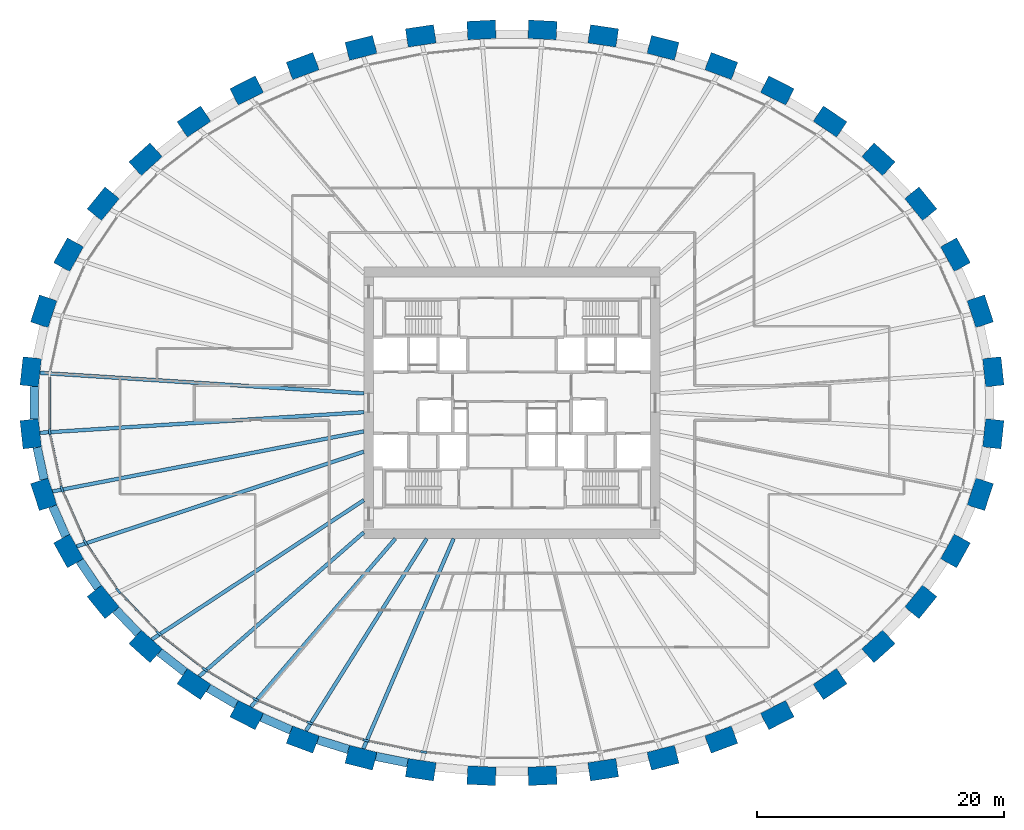
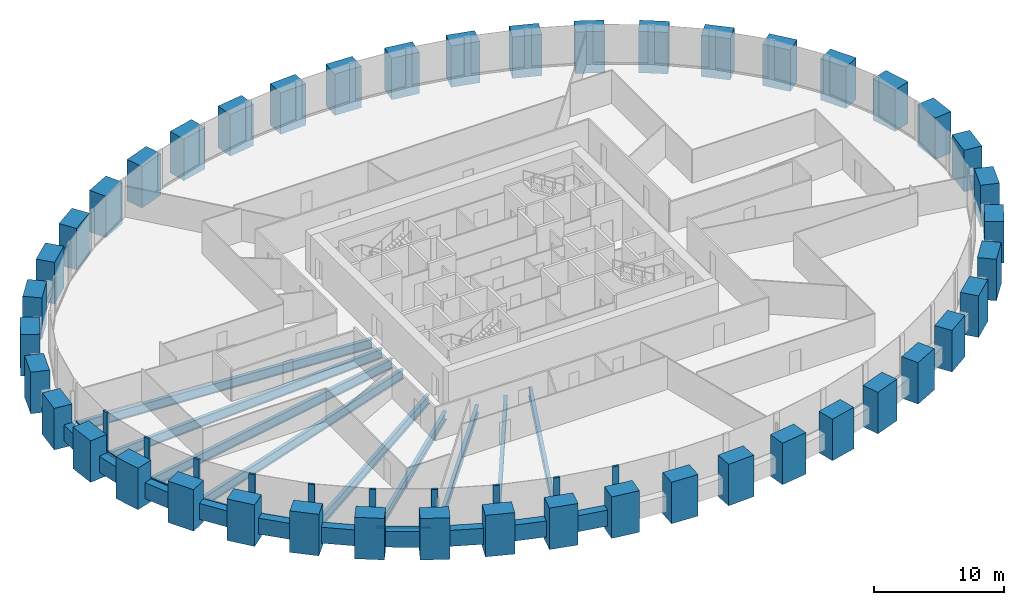
# One storey, part 1 of 11: 44 columns, 20 members, 19 beams, 1 element without a shape of its own.
"""IFC4 building model written with IfcOpenShell, lengths in metres."""

from ifc_helpers import new_model, si_unit, direction, frame, origin, origin_2d, place, context, subcontext, project, spatial, rectangle, i_section, extrude, source, transform, mapped, material, material_profile, profile_set, type_object, element, aggregate, save


model = new_model("IFC4")

# Units and contexts
model_context = context("Model", 3, precision=1e-05, world=origin(), true_north=direction((0.0, 1.0)))
body_context = subcontext(model_context, "Body", "Model", "MODEL_VIEW")
ifc_project = project(units=[si_unit("LENGTHUNIT", "METRE"), si_unit("AREAUNIT", "SQUARE_METRE"), si_unit("VOLUMEUNIT", "CUBIC_METRE"), si_unit("PLANEANGLEUNIT", "RADIAN"), si_unit("MASSUNIT", "GRAM", prefix="KILO")], contexts=[model_context])

# Site, building, storey
site_placement = place(None, origin())
site = spatial("IfcSite", under=ifc_project, at=site_placement, CompositionType="ELEMENT")
building_placement = place(site_placement, origin())
building = spatial("IfcBuilding", under=site, at=building_placement, Name="Embergate Tower", CompositionType="ELEMENT")
storey_placement = place(building_placement, frame((0.0, 0.0, 135.89990234375)))
storey = spatial("IfcBuildingStorey", under=building, at=storey_placement, Name="L29", CompositionType="ELEMENT", Elevation=135.89990234375)

# Columns
ifc_material_1 = material(Name="Concrete C70", Category="concrete")
ifc_material_profile_1 = material_profile(ifc_material_1, rectangle(XDim=1.5, YDim=2.300048828125, at=origin_2d()), Name="RC 1500x2300")
ifc_profile_set_1 = profile_set([ifc_material_profile_1], Name="Concrete C70")
column_type = type_object("IfcColumnType", Name="Ring column RC 1500x2300 C70", PredefinedType="COLUMN", material=ifc_profile_set_1)
shared_shape_1 = source(origin(), body_context, "Body", "SweptSolid", [
    extrude(rectangle(XDim=1.5, YDim=2.300048828125, at=origin_2d()), origin(), (0.0, 0.0, 1.0), 3.89990234375),
])
for number, where, z_axis, x_axis, name in (
    (1, (38.98193359375, 2.509033203125, -1.39990234375), (0.0, 0.0, 1.0), (0.99428589498, 0.106749983816, 0.0), "COL-L29-00"),
    (2, (37.927001953125, 7.410888671875, -1.39990234375), (0.0, 0.0, 1.0), (0.950754033697, 0.309946394413, 0.0), "COL-L29-01"),
    (3, (35.9169921875, 11.993896484375, -1.39990234375), (0.0, 0.0, 1.0), (0.873491969053, 0.486838556403, 0.0), "COL-L29-02"),
    (4, (33.110107421875, 16.1220703125, -1.39990234375), (0.0, 0.0, 1.0), (0.775914301615, 0.630838328377, 0.0), "COL-L29-03"),
    (5, (29.675048828125, 19.72412109375, -1.39990234375), (0.0, 0.0, 1.0), (0.669208424634, 0.74307475021, 0.0), "COL-L29-04"),
    (6, (25.760009765625, 22.781005859375, -1.39990234375), (0.0, 0.0, 1.0), (0.560393279442, 0.828226643109, 0.0), "COL-L29-05"),
    (7, (21.486083984375, 25.29296875, -1.39990234375), (0.0, 0.0, 1.0), (0.452994952881, 0.891513080478, 0.0), "COL-L29-06"),
    (8, (16.950927734375, 27.277099609375, -1.39990234375), (0.0, 0.0, 1.0), (0.348343015724, 0.93736713373, 0.0), "COL-L29-07"),
    (9, (12.22900390625, 28.7470703125, -1.39990234375), (0.0, 0.0, 1.0), (0.246491603437, 0.969144926951, 0.0), "COL-L29-08"),
    (10, (7.385009765625, 29.718994140625, -1.39990234375), (0.0, 0.0, 1.0), (0.146929011949, 0.989147039346, 0.0), "COL-L29-09"),
    (11, (2.468994140625, 30.201904296875, -1.39990234375), (0.0, 0.0, 1.0), (0.048814904854, 0.998807841912, 0.0), "COL-L29-10"),
    (12, (-2.468994140625, 30.201904296875, -1.39990234375), (0.0, 0.0, 1.0), (-0.048814904854, 0.998807841912, 0.0), "COL-L29-11"),
    (13, (-7.385009765625, 29.718994140625, -1.39990234375), (0.0, 0.0, 1.0), (-0.146929011949, 0.989147039346, 0.0), "COL-L29-12"),
    (14, (-12.22900390625, 28.7470703125, -1.39990234375), (0.0, 0.0, 1.0), (-0.246491603437, 0.969144926951, 0.0), "COL-L29-13"),
    (15, (-16.950927734375, 27.277099609375, -1.39990234375), (0.0, 0.0, 1.0), (-0.348343015724, 0.93736713373, 0.0), "COL-L29-14"),
    (16, (-21.486083984375, 25.29296875, -1.39990234375), (0.0, 0.0, 1.0), (-0.452994952881, 0.891513080478, 0.0), "COL-L29-15"),
    (17, (-25.760009765625, 22.781005859375, -1.39990234375), (0.0, 0.0, 1.0), (-0.560393279442, 0.828226643109, 0.0), "COL-L29-16"),
    (18, (-29.675048828125, 19.72412109375, -1.39990234375), (0.0, 0.0, 1.0), (-0.669208424634, 0.74307475021, 0.0), "COL-L29-17"),
    (19, (-33.110107421875, 16.1220703125, -1.39990234375), (0.0, 0.0, 1.0), (-0.775914301615, 0.630838328377, 0.0), "COL-L29-18"),
    (20, (-35.9169921875, 11.993896484375, -1.39990234375), (0.0, 0.0, 1.0), (-0.873491969053, 0.486838556403, 0.0), "COL-L29-19"),
    (21, (-37.927001953125, 7.410888671875, -1.39990234375), (0.0, 0.0, 1.0), (-0.950754033697, 0.309946394413, 0.0), "COL-L29-20"),
    (22, (-38.98193359375, 2.509033203125, -1.39990234375), (0.0, 0.0, 1.0), (-0.99428589498, 0.106749983816, 0.0), "COL-L29-21"),
    (23, (-38.98193359375, -2.509033203125, -1.39990234375), (0.0, 0.0, 1.0), (-0.99428589498, -0.106749983816, 0.0), "COL-L29-22"),
    (24, (-37.927001953125, -7.410888671875, -1.39990234375), (0.0, 0.0, 1.0), (-0.950754033697, -0.309946394413, 0.0), "COL-L29-23"),
    (25, (-35.9169921875, -11.993896484375, -1.39990234375), (0.0, 0.0, 1.0), (-0.873491969053, -0.486838556403, 0.0), "COL-L29-24"),
    (26, (-33.110107421875, -16.1220703125, -1.39990234375), (0.0, 0.0, 1.0), (-0.775914301615, -0.630838328377, 0.0), "COL-L29-25"),
    (27, (-29.675048828125, -19.72412109375, -1.39990234375), (0.0, 0.0, 1.0), (-0.669208424634, -0.74307475021, 0.0), "COL-L29-26"),
    (28, (-25.760009765625, -22.781005859375, -1.39990234375), (0.0, 0.0, 1.0), (-0.560393279442, -0.828226643109, 0.0), "COL-L29-27"),
    (29, (-21.486083984375, -25.29296875, -1.39990234375), (0.0, 0.0, 1.0), (-0.452994952881, -0.891513080478, 0.0), "COL-L29-28"),
    (30, (-16.950927734375, -27.277099609375, -1.39990234375), (0.0, 0.0, 1.0), (-0.348343015724, -0.93736713373, 0.0), "COL-L29-29"),
    (31, (-12.22900390625, -28.7470703125, -1.39990234375), (0.0, 0.0, 1.0), (-0.246491603437, -0.969144926951, 0.0), "COL-L29-30"),
    (32, (-7.385009765625, -29.718994140625, -1.39990234375), (0.0, 0.0, 1.0), (-0.146929011949, -0.989147039346, 0.0), "COL-L29-31"),
    (33, (-2.468994140625, -30.201904296875, -1.39990234375), (0.0, 0.0, 1.0), (-0.048814904854, -0.998807841912, 0.0), "COL-L29-32"),
    (34, (2.468994140625, -30.201904296875, -1.39990234375), (0.0, 0.0, 1.0), (0.048814904854, -0.998807841912, 0.0), "COL-L29-33"),
    (35, (7.385009765625, -29.718994140625, -1.39990234375), (0.0, 0.0, 1.0), (0.146929011949, -0.989147039346, 0.0), "COL-L29-34"),
    (36, (12.22900390625, -28.7470703125, -1.39990234375), (0.0, 0.0, 1.0), (0.246491603437, -0.969144926951, 0.0), "COL-L29-35"),
    (37, (16.950927734375, -27.277099609375, -1.39990234375), (0.0, 0.0, 1.0), (0.348343015724, -0.93736713373, 0.0), "COL-L29-36"),
    (38, (21.486083984375, -25.29296875, -1.39990234375), (0.0, 0.0, 1.0), (0.452994952881, -0.891513080478, 0.0), "COL-L29-37"),
    (39, (25.760009765625, -22.781005859375, -1.39990234375), (0.0, 0.0, 1.0), (0.560393279442, -0.828226643109, 0.0), "COL-L29-38"),
    (40, (29.675048828125, -19.72412109375, -1.39990234375), (0.0, 0.0, 1.0), (0.669208424634, -0.74307475021, 0.0), "COL-L29-39"),
    (41, (33.110107421875, -16.1220703125, -1.39990234375), (0.0, 0.0, 1.0), (0.775914301615, -0.630838328377, 0.0), "COL-L29-40"),
    (42, (35.9169921875, -11.993896484375, -1.39990234375), (0.0, 0.0, 1.0), (0.873491969053, -0.486838556403, 0.0), "COL-L29-41"),
    (43, (37.927001953125, -7.410888671875, -1.39990234375), (0.0, 0.0, 1.0), (0.950754033697, -0.309946394413, 0.0), "COL-L29-42"),
    (44, (38.98193359375, -2.509033203125, -1.39990234375), (0.0, 0.0, 1.0), (0.99428589498, -0.106749983816, 0.0), "COL-L29-43"),
):
    element("IfcColumn", number, at=place(storey_placement, frame(where, z_axis=z_axis, x_axis=x_axis)), inside=storey, type_object=column_type, Name=name, PredefinedType="COLUMN", context=body_context, shape_type="MappedRepresentation", body=[
        mapped(shared_shape_1, transform((0.0, 0.0, 0.0))),
    ])

# Beams
ifc_material_profile_2 = material_profile(ifc_material_1, rectangle(XDim=0.699951171875, YDim=1.5, at=origin_2d()), Name="RC 700x1500")
ifc_profile_set_2 = profile_set([ifc_material_profile_2], Name="Concrete C70")
beam_type_1 = type_object("IfcBeamType", Name="Spandrel beam RC 700x1500 C70", PredefinedType="BEAM", material=ifc_profile_set_2)
shared_shape_2 = source(origin(), body_context, "Body", "SweptSolid", [
    extrude(rectangle(XDim=0.699951171875, YDim=1.5, at=origin_2d()), origin(), (0.0, 0.0, 1.0), 2.644287109375),
])
beam_1_placement = place(storey_placement, frame((-38.462890625, -3.610107421875, 0.0), z_axis=(0.210600871974, -0.977572131724, 0.0), x_axis=(0.977572131724, 0.210600871974, 0.0)))
element("IfcBeam", 45, at=beam_1_placement, inside=storey, type_object=beam_type_1, Name="SPN-L29-22", PredefinedType="BEAM", context=body_context, shape_type="MappedRepresentation", body=[
    mapped(shared_shape_2, transform((0.0, 0.0, 0.0))),
])
shared_shape_3 = source(origin(), body_context, "Body", "SweptSolid", [
    extrude(rectangle(XDim=0.699951171875, YDim=1.5, at=origin_2d()), origin(), (0.0, 0.0, 1.0), 2.640625),
])
beam_2_placement = place(storey_placement, frame((-37.198974609375, -8.383056640625, 0.0), z_axis=(0.401827456717, -0.915715400672, 0.0), x_axis=(0.915715400672, 0.401827456717, 0.0)))
element("IfcBeam", 46, at=beam_2_placement, inside=storey, type_object=beam_type_1, Name="SPN-L29-23", PredefinedType="BEAM", context=body_context, shape_type="MappedRepresentation", body=[
    mapped(shared_shape_3, transform((0.0, 0.0, 0.0))),
])
shared_shape_4 = source(origin(), body_context, "Body", "SweptSolid", [
    extrude(rectangle(XDim=0.699951171875, YDim=1.5, at=origin_2d()), origin(), (0.0, 0.0, 1.0), 2.63037109375),
])
beam_3_placement = place(storey_placement, frame((-35.007080078125, -12.803955078125, 0.0), z_axis=(0.562302404878, -0.826931681258, 0.0), x_axis=(0.826931681258, 0.562302404878, 0.0)))
element("IfcBeam", 47, at=beam_3_placement, inside=storey, type_object=beam_type_1, Name="SPN-L29-24", PredefinedType="BEAM", context=body_context, shape_type="MappedRepresentation", body=[
    mapped(shared_shape_4, transform((0.0, 0.0, 0.0))),
])
shared_shape_5 = source(origin(), body_context, "Body", "SweptSolid", [
    extrude(rectangle(XDim=0.699951171875, YDim=1.5, at=origin_2d()), origin(), (0.0, 0.0, 1.0), 2.6240234375),
])
beam_4_placement = place(storey_placement, frame((-32.08203125, -16.76806640625, 0.0), z_axis=(0.690161462012, -0.723655412716, 0.0), x_axis=(0.723655412716, 0.690161462012, 0.0)))
element("IfcBeam", 48, at=beam_4_placement, inside=storey, type_object=beam_type_1, Name="SPN-L29-25", PredefinedType="BEAM", context=body_context, shape_type="MappedRepresentation", body=[
    mapped(shared_shape_5, transform((0.0, 0.0, 0.0))),
])
shared_shape_6 = source(origin(), body_context, "Body", "SweptSolid", [
    extrude(rectangle(XDim=0.699951171875, YDim=1.5, at=origin_2d()), origin(), (0.0, 0.0, 1.0), 2.617431640625),
])
beam_5_placement = place(storey_placement, frame((-28.552978515625, -20.196044921875, 0.0), z_axis=(0.788185558189, -0.615437670169, 0.0), x_axis=(0.615437670169, 0.788185558189, 0.0)))
element("IfcBeam", 49, at=beam_5_placement, inside=storey, type_object=beam_type_1, Name="SPN-L29-26", PredefinedType="BEAM", context=body_context, shape_type="MappedRepresentation", body=[
    mapped(shared_shape_6, transform((0.0, 0.0, 0.0))),
])
shared_shape_7 = source(origin(), body_context, "Body", "SweptSolid", [
    extrude(rectangle(XDim=0.699951171875, YDim=1.5, at=origin_2d()), origin(), (0.0, 0.0, 1.0), 2.61328125),
])
beam_6_placement = place(storey_placement, frame((-24.587890625, -23.10107421875, 0.0), z_axis=(0.862147892726, -0.506656699421, 0.0), x_axis=(0.506656699421, 0.862147892726, 0.0)))
element("IfcBeam", 50, at=beam_6_placement, inside=storey, type_object=beam_type_1, Name="SPN-L29-27", PredefinedType="BEAM", context=body_context, shape_type="MappedRepresentation", body=[
    mapped(shared_shape_7, transform((0.0, 0.0, 0.0))),
])
shared_shape_8 = source(origin(), body_context, "Body", "SweptSolid", [
    extrude(rectangle(XDim=0.699951171875, YDim=1.5, at=origin_2d()), origin(), (0.0, 0.0, 1.0), 2.609619140625),
])
beam_7_placement = place(storey_placement, frame((-20.285888671875, -25.469970703125, 0.0), z_axis=(0.916138010335, -0.400863001561, 0.0), x_axis=(0.400863001561, 0.916138010335, 0.0)))
element("IfcBeam", 51, at=beam_7_placement, inside=storey, type_object=beam_type_1, Name="SPN-L29-28", PredefinedType="BEAM", context=body_context, shape_type="MappedRepresentation", body=[
    mapped(shared_shape_8, transform((0.0, 0.0, 0.0))),
])
shared_shape_9 = source(origin(), body_context, "Body", "SweptSolid", [
    extrude(rectangle(XDim=0.699951171875, YDim=1.5, at=origin_2d()), origin(), (0.0, 0.0, 1.0), 2.605712890625),
])
beam_8_placement = place(storey_placement, frame((-15.73291015625, -27.301025390625, 0.0), z_axis=(0.954756318778, -0.297389259647, 0.0), x_axis=(0.297389259647, 0.954756318778, 0.0)))
element("IfcBeam", 52, at=beam_8_placement, inside=storey, type_object=beam_type_1, Name="SPN-L29-29", PredefinedType="BEAM", context=body_context, shape_type="MappedRepresentation", body=[
    mapped(shared_shape_9, transform((0.0, 0.0, 0.0))),
])
shared_shape_10 = source(origin(), body_context, "Body", "SweptSolid", [
    extrude(rectangle(XDim=0.699951171875, YDim=1.5, at=origin_2d()), origin(), (0.0, 0.0, 1.0), 2.602783203125),
])
beam_9_placement = place(storey_placement, frame((-11.01611328125, -28.64501953125, 0.0), z_axis=(0.98046506275, -0.196693316425, 0.0), x_axis=(0.196693316425, 0.98046506275, 0.0)))
element("IfcBeam", 53, at=beam_9_placement, inside=storey, type_object=beam_type_1, Name="SPN-L29-30", PredefinedType="BEAM", context=body_context, shape_type="MappedRepresentation", body=[
    mapped(shared_shape_10, transform((0.0, 0.0, 0.0))),
])
shared_shape_11 = source(origin(), body_context, "Body", "SweptSolid", [
    extrude(rectangle(XDim=0.699951171875, YDim=1.5, at=origin_2d()), origin(), (0.0, 0.0, 1.0), 2.64599609375),
])
beam_10_placement = place(storey_placement, frame((-38.7060546875, 1.322998046875, 0.0), z_axis=(0.0, -1.0, 0.0), x_axis=(1.0, 0.0, 0.0)))
element("IfcBeam", 54, at=beam_10_placement, inside=storey, type_object=beam_type_1, Name="SPN-L29-21", PredefinedType="BEAM", context=body_context, shape_type="MappedRepresentation", body=[
    mapped(shared_shape_11, transform((0.0, 0.0, 0.0))),
])
ifc_material_2 = material(Name="Steel Q355B", Category="steel")
ifc_material_profile_3 = material_profile(ifc_material_2, i_section(OverallWidth=0.300048828125, OverallDepth=0.89990234375, WebThickness=0.01611328125, FlangeThickness=0.028076171875, FilletRadius=0.028076171875, at=origin_2d()), Name="HN 900x300x16x28")
ifc_profile_set_3 = profile_set([ifc_material_profile_3], Name="Steel Q355 grade B")
beam_type_2 = type_object("IfcBeamType", Name="Radial girder HN 900x300x16x28", PredefinedType="BEAM", material=ifc_profile_set_3)
shared_shape_12 = source(origin(), body_context, "Body", "SweptSolid", [
    extrude(i_section(OverallWidth=0.300048828125, OverallDepth=0.89990234375, WebThickness=0.01611328125, FlangeThickness=0.028076171875, FilletRadius=0.028076171875, at=origin_2d()), origin(), (0.0, 0.0, 1.0), 26.2890625),
])
for number, where, z_axis, x_axis, name in (
    (55, (-38.236083984375, 2.428955078125, -0.64990234375), (0.997987543189, -0.063410280235, 0.0), (0.063410280235, 0.997987543189, 0.0), "GIR-L29-21"),
    (56, (-38.236083984375, -2.428955078125, -0.64990234375), (0.997987543189, 0.063410280235, 0.0), (-0.063410280235, 0.997987543189, 0.0), "GIR-L29-22"),
):
    element("IfcBeam", number, at=place(storey_placement, frame(where, z_axis=z_axis, x_axis=x_axis)), inside=storey, type_object=beam_type_2, Name=name, PredefinedType="BEAM", context=body_context, shape_type="MappedRepresentation", body=[
        mapped(shared_shape_12, transform((0.0, 0.0, 0.0))),
    ])
shared_shape_13 = source(origin(), body_context, "Body", "SweptSolid", [
    extrude(i_section(OverallWidth=0.300048828125, OverallDepth=0.89990234375, WebThickness=0.01611328125, FlangeThickness=0.028076171875, FilletRadius=0.028076171875, at=origin_2d()), origin(), (0.0, 0.0, 1.0), 25.678955078125),
])
beam_11_placement = place(storey_placement, frame((-37.214111328125, -7.178955078125, -0.64990234375), z_axis=(0.981896899558, 0.189416151998, 0.0), x_axis=(-0.189416151998, 0.981896899558, 0.0)))
element("IfcBeam", 57, at=beam_11_placement, inside=storey, type_object=beam_type_2, Name="GIR-L29-23", PredefinedType="BEAM", context=body_context, shape_type="MappedRepresentation", body=[
    mapped(shared_shape_13, transform((0.0, 0.0, 0.0))),
])
shared_shape_14 = source(origin(), body_context, "Body", "SweptSolid", [
    extrude(i_section(OverallWidth=0.300048828125, OverallDepth=0.89990234375, WebThickness=0.01611328125, FlangeThickness=0.028076171875, FilletRadius=0.028076171875, at=origin_2d()), origin(), (0.0, 0.0, 1.0), 24.494384765625),
])
beam_12_placement = place(storey_placement, frame((-35.261962890625, -11.62890625, -0.64990234375), z_axis=(0.949684190342, 0.313209097273, 0.0), x_axis=(-0.313209097273, 0.949684190342, 0.0)))
element("IfcBeam", 58, at=beam_12_placement, inside=storey, type_object=beam_type_2, Name="GIR-L29-24", PredefinedType="BEAM", context=body_context, shape_type="MappedRepresentation", body=[
    mapped(shared_shape_14, transform((0.0, 0.0, 0.0))),
])
shared_shape_15 = source(origin(), body_context, "Body", "SweptSolid", [
    extrude(i_section(OverallWidth=0.300048828125, OverallDepth=0.89990234375, WebThickness=0.01611328125, FlangeThickness=0.028076171875, FilletRadius=0.028076171875, at=origin_2d()), origin(), (0.0, 0.0, 1.0), 20.548095703125),
])
beam_13_placement = place(storey_placement, frame((-29.173095703125, -19.1669921875, -0.64990234375), z_axis=(0.835755020843, 0.549102490557, 0.0), x_axis=(-0.549102490557, 0.835755020843, 0.0)))
element("IfcBeam", 59, at=beam_13_placement, inside=storey, type_object=beam_type_2, Name="GIR-L29-26", PredefinedType="BEAM", context=body_context, shape_type="MappedRepresentation", body=[
    mapped(shared_shape_15, transform((0.0, 0.0, 0.0))),
])
ifc_material_profile_4 = material_profile(ifc_material_2, i_section(OverallWidth=0.300048828125, OverallDepth=0.800048828125, WebThickness=0.013916015625, FlangeThickness=0.02587890625, FilletRadius=0.028076171875, at=origin_2d()), Name="HN 800x300x14x26")
ifc_profile_set_4 = profile_set([ifc_material_profile_4], Name="Steel Q355 grade B")
beam_type_3 = type_object("IfcBeamType", Name="Radial girder HN 800x300x14x26", PredefinedType="BEAM", material=ifc_profile_set_4)
shared_shape_16 = source(origin(), body_context, "Body", "SweptSolid", [
    extrude(i_section(OverallWidth=0.300048828125, OverallDepth=0.800048828125, WebThickness=0.013916015625, FlangeThickness=0.02587890625, FilletRadius=0.028076171875, at=origin_2d()), origin(), (0.0, 0.0, 1.0), 17.7216796875),
])
beam_14_placement = place(storey_placement, frame((-25.340087890625, -22.159912109375, -0.599853515625), z_axis=(0.752760148579, 0.65829488735, 0.0), x_axis=(-0.65829488735, 0.752760148579, 0.0)))
element("IfcBeam", 60, at=beam_14_placement, inside=storey, type_object=beam_type_3, Name="GIR-L29-27", PredefinedType="BEAM", context=body_context, shape_type="MappedRepresentation", body=[
    mapped(shared_shape_16, transform((0.0, 0.0, 0.0))),
])
shared_shape_17 = source(origin(), body_context, "Body", "SweptSolid", [
    extrude(i_section(OverallWidth=0.300048828125, OverallDepth=0.800048828125, WebThickness=0.013916015625, FlangeThickness=0.02587890625, FilletRadius=0.028076171875, at=origin_2d()), origin(), (0.0, 0.0, 1.0), 17.958251953125),
])
beam_15_placement = place(storey_placement, frame((-21.14599609375, -24.6240234375, -0.599853515625), z_axis=(0.651504254296, 0.75864498063, 0.0), x_axis=(-0.75864498063, 0.651504254296, 0.0)))
element("IfcBeam", 61, at=beam_15_placement, inside=storey, type_object=beam_type_3, Name="GIR-L29-28", PredefinedType="BEAM", context=body_context, shape_type="MappedRepresentation", body=[
    mapped(shared_shape_17, transform((0.0, 0.0, 0.0))),
])
shared_shape_18 = source(origin(), body_context, "Body", "SweptSolid", [
    extrude(i_section(OverallWidth=0.300048828125, OverallDepth=0.800048828125, WebThickness=0.013916015625, FlangeThickness=0.02587890625, FilletRadius=0.028076171875, at=origin_2d()), origin(), (0.0, 0.0, 1.0), 18.390625),
])
beam_16_placement = place(storey_placement, frame((-16.68994140625, -26.573974609375, -0.599853515625), z_axis=(0.531846072131, 0.846841045037, 0.0), x_axis=(-0.846841045037, 0.531846072131, 0.0)))
element("IfcBeam", 62, at=beam_16_placement, inside=storey, type_object=beam_type_3, Name="GIR-L29-29", PredefinedType="BEAM", context=body_context, shape_type="MappedRepresentation", body=[
    mapped(shared_shape_18, transform((0.0, 0.0, 0.0))),
])
shared_shape_19 = source(origin(), body_context, "Body", "SweptSolid", [
    extrude(i_section(OverallWidth=0.300048828125, OverallDepth=0.800048828125, WebThickness=0.013916015625, FlangeThickness=0.02587890625, FilletRadius=0.028076171875, at=origin_2d()), origin(), (0.0, 0.0, 1.0), 18.52587890625),
])
beam_17_placement = place(storey_placement, frame((-12.0439453125, -28.02001953125, -0.599853515625), z_axis=(0.394905182854, 0.918721882049, 0.0), x_axis=(-0.918721882049, 0.394905182854, 0.0)))
element("IfcBeam", 63, at=beam_17_placement, inside=storey, type_object=beam_type_3, Name="GIR-L29-30", PredefinedType="BEAM", context=body_context, shape_type="MappedRepresentation", body=[
    mapped(shared_shape_19, transform((0.0, 0.0, 0.0))),
])

# Curtain wall, members
ifc_material_3 = material(Name="Aluminium and glass", Category="aluminium")
curtain_wall_type = type_object("IfcCurtainWallType", Name="Recessed office glazing", PredefinedType="NOTDEFINED", material=ifc_material_3)
curtain_wall_placement = place(storey_placement, origin())
curtain_wall = element("IfcCurtainWall", 64, at=curtain_wall_placement, inside=storey, type_object=curtain_wall_type, Name="Recessed office glazing ring", ObjectType="RECESSED OFFICE GLAZING", PredefinedType="USERDEFINED")
ifc_material_4 = material(Name="Aluminium, thermally broken", Category="aluminium")
ifc_material_profile_5 = material_profile(ifc_material_4, rectangle(XDim=0.179931640625, YDim=0.52001953125, at=origin_2d()), Name="AL 520x180")
ifc_profile_set_5 = profile_set([ifc_material_profile_5], Name="Aluminium, thermally broken")
member_type_1 = type_object("IfcMemberType", Name="Office mullion", PredefinedType="MULLION", material=ifc_profile_set_5)
shared_shape_20 = source(origin(), body_context, "Body", "SweptSolid", [
    extrude(rectangle(XDim=0.179931640625, YDim=0.52001953125, at=origin_2d()), origin(), (0.0, 0.0, 1.0), 3.7001953125),
])
member_1_placement = place(storey_placement, frame((-37.4462890625, -2.36181640625, 0.0), z_axis=(0.0, 0.0, 1.0), x_axis=(0.994384954736, 0.105823257345, 0.0)))
member_1 = element("IfcMember", 65, at=member_1_placement, type_object=member_type_1, Name="CW mullion 23", PredefinedType="MULLION", context=body_context, shape_type="MappedRepresentation", body=[
    mapped(shared_shape_20, transform((0.0, 0.0, 0.0))),
])
member_2_placement = place(storey_placement, frame((-36.451904296875, -6.982177734375, 0.0), z_axis=(0.0, 0.0, 1.0), x_axis=(0.951497797992, 0.307655554826, 0.0)))
member_2 = element("IfcMember", 66, at=member_2_placement, type_object=member_type_1, Name="CW mullion 24", PredefinedType="MULLION", context=body_context, shape_type="MappedRepresentation", body=[
    mapped(shared_shape_20, transform((0.0, 0.0, 0.0))),
])
member_3_placement = place(storey_placement, frame((-34.55078125, -11.31689453125, 0.0), z_axis=(0.0, 0.0, 1.0), x_axis=(0.875001895832, 0.484119491748, 0.0)))
member_3 = element("IfcMember", 67, at=member_3_placement, type_object=member_type_1, Name="CW mullion 25", PredefinedType="MULLION", context=body_context, shape_type="MappedRepresentation", body=[
    mapped(shared_shape_20, transform((0.0, 0.0, 0.0))),
])
member_4_placement = place(storey_placement, frame((-31.88427734375, -15.238037109375, 0.0), z_axis=(0.0, 0.0, 1.0), x_axis=(0.777871467551, 0.628423408198, 0.0)))
member_4 = element("IfcMember", 68, at=member_4_placement, type_object=member_type_1, Name="CW mullion 26", PredefinedType="MULLION", context=body_context, shape_type="MappedRepresentation", body=[
    mapped(shared_shape_20, transform((0.0, 0.0, 0.0))),
])
member_5_placement = place(storey_placement, frame((-28.605712890625, -18.676025390625, 0.0), z_axis=(0.0, 0.0, 1.0), x_axis=(0.671225240226, 0.741253449829, 0.0)))
member_5 = element("IfcMember", 69, at=member_5_placement, type_object=member_type_1, Name="CW mullion 27", PredefinedType="MULLION", context=body_context, shape_type="MappedRepresentation", body=[
    mapped(shared_shape_20, transform((0.0, 0.0, 0.0))),
])
member_6_placement = place(storey_placement, frame((-24.8544921875, -21.603515625, 0.0), z_axis=(0.0, 0.0, 1.0), x_axis=(0.562214731803, 0.826991290972, 0.0)))
member_6 = element("IfcMember", 70, at=member_6_placement, type_object=member_type_1, Name="CW mullion 28", PredefinedType="MULLION", context=body_context, shape_type="MappedRepresentation", body=[
    mapped(shared_shape_20, transform((0.0, 0.0, 0.0))),
])
member_7_placement = place(storey_placement, frame((-20.74755859375, -24.018310546875, 0.0), z_axis=(0.0, 0.0, 1.0), x_axis=(0.454508271251, 0.890742516872, 0.0)))
member_7 = element("IfcMember", 71, at=member_7_placement, type_object=member_type_1, Name="CW mullion 29", PredefinedType="MULLION", context=body_context, shape_type="MappedRepresentation", body=[
    mapped(shared_shape_20, transform((0.0, 0.0, 0.0))),
])
member_8_placement = place(storey_placement, frame((-16.378173828125, -25.9287109375, 0.0), z_axis=(0.0, 0.0, 1.0), x_axis=(0.349501047589, 0.936935973124, 0.0)))
member_8 = element("IfcMember", 72, at=member_8_placement, type_object=member_type_1, Name="CW mullion 30", PredefinedType="MULLION", context=body_context, shape_type="MappedRepresentation", body=[
    mapped(shared_shape_20, transform((0.0, 0.0, 0.0))),
])
member_9_placement = place(storey_placement, frame((-11.82177734375, -27.34765625, 0.0), z_axis=(0.0, 0.0, 1.0), x_axis=(0.247310190257, 0.968936360034, 0.0)))
member_9 = element("IfcMember", 73, at=member_9_placement, type_object=member_type_1, Name="CW mullion 31", PredefinedType="MULLION", context=body_context, shape_type="MappedRepresentation", body=[
    mapped(shared_shape_20, transform((0.0, 0.0, 0.0))),
])
member_10_placement = place(storey_placement, frame((-7.140625, -28.28662109375, 0.0), z_axis=(0.0, 0.0, 1.0), x_axis=(0.147410656556, 0.989075375456, 0.0)))
member_10 = element("IfcMember", 74, at=member_10_placement, type_object=member_type_1, Name="CW mullion 32", PredefinedType="MULLION", context=body_context, shape_type="MappedRepresentation", body=[
    mapped(shared_shape_20, transform((0.0, 0.0, 0.0))),
])
ifc_material_profile_6 = material_profile(ifc_material_4, rectangle(XDim=0.179931640625, YDim=0.14990234375, at=origin_2d()), Name="AL 150x180")
ifc_profile_set_6 = profile_set([ifc_material_profile_6], Name="Aluminium, thermally broken")
member_type_2 = type_object("IfcMemberType", Name="Office sill transom", PredefinedType="USERDEFINED", material=ifc_profile_set_6)
shared_shape_21 = source(origin(), body_context, "Body", "SweptSolid", [
    extrude(rectangle(XDim=0.179931640625, YDim=0.14990234375, at=origin_2d()), origin(), (0.0, 0.0, 1.0), 4.25439453125),
])
member_11_placement = place(storey_placement, frame((-11.56689453125, -27.398681640625, 0.0751953125), z_axis=(0.980472378795, -0.196656844325, 0.0), x_axis=(0.196656844325, 0.980472378795, 0.0)))
member_11 = element("IfcMember", 75, at=member_11_placement, type_object=member_type_2, Name="CW transom 31.1", ObjectType="TRANSOM", PredefinedType="USERDEFINED", context=body_context, shape_type="MappedRepresentation", body=[
    mapped(shared_shape_21, transform((0.0, 0.0, 0.0))),
])
shared_shape_22 = source(origin(), body_context, "Body", "SweptSolid", [
    extrude(rectangle(XDim=0.179931640625, YDim=0.14990234375, at=origin_2d()), origin(), (0.0, 0.0, 1.0), 4.206298828125),
])
member_12_placement = place(storey_placement, frame((-37.3916015625, -2.615966796875, 0.0751953125), z_axis=(0.210405025701, -0.977614302862, 0.0), x_axis=(0.977614302862, 0.210405025701, 0.0)))
member_12 = element("IfcMember", 76, at=member_12_placement, type_object=member_type_2, Name="CW transom 23.1", ObjectType="TRANSOM", PredefinedType="USERDEFINED", context=body_context, shape_type="MappedRepresentation", body=[
    mapped(shared_shape_22, transform((0.0, 0.0, 0.0))),
])
shared_shape_23 = source(origin(), body_context, "Body", "SweptSolid", [
    extrude(rectangle(XDim=0.179931640625, YDim=0.14990234375, at=origin_2d()), origin(), (0.0, 0.0, 1.0), 4.213134765625),
])
member_13_placement = place(storey_placement, frame((-36.34765625, -7.22021484375, 0.0751953125), z_axis=(0.40163335885, -0.915800548733, 0.0), x_axis=(0.915800548733, 0.40163335885, 0.0)))
member_13 = element("IfcMember", 77, at=member_13_placement, type_object=member_type_2, Name="CW transom 24.1", ObjectType="TRANSOM", PredefinedType="USERDEFINED", context=body_context, shape_type="MappedRepresentation", body=[
    mapped(shared_shape_23, transform((0.0, 0.0, 0.0))),
])
shared_shape_24 = source(origin(), body_context, "Body", "SweptSolid", [
    extrude(rectangle(XDim=0.179931640625, YDim=0.14990234375, at=origin_2d()), origin(), (0.0, 0.0, 1.0), 4.22216796875),
])
member_14_placement = place(storey_placement, frame((-34.40478515625, -11.53173828125, 0.0751953125), z_axis=(0.562349562031, -0.826899613063, 0.0), x_axis=(0.826899613063, 0.562349562031, 0.0)))
member_14 = element("IfcMember", 78, at=member_14_placement, type_object=member_type_2, Name="CW transom 25.1", ObjectType="TRANSOM", PredefinedType="USERDEFINED", context=body_context, shape_type="MappedRepresentation", body=[
    mapped(shared_shape_24, transform((0.0, 0.0, 0.0))),
])
shared_shape_25 = source(origin(), body_context, "Body", "SweptSolid", [
    extrude(rectangle(XDim=0.179931640625, YDim=0.14990234375, at=origin_2d()), origin(), (0.0, 0.0, 1.0), 4.230712890625),
])
member_15_placement = place(storey_placement, frame((-31.704833984375, -15.42626953125, 0.0751953125), z_axis=(0.690173739415, -0.723643703367, 0.0), x_axis=(0.723643703367, 0.690173739415, 0.0)))
member_15 = element("IfcMember", 79, at=member_15_placement, type_object=member_type_2, Name="CW transom 26.1", ObjectType="TRANSOM", PredefinedType="USERDEFINED", context=body_context, shape_type="MappedRepresentation", body=[
    mapped(shared_shape_25, transform((0.0, 0.0, 0.0))),
])
shared_shape_26 = source(origin(), body_context, "Body", "SweptSolid", [
    extrude(rectangle(XDim=0.179931640625, YDim=0.14990234375, at=origin_2d()), origin(), (0.0, 0.0, 1.0), 4.23828125),
])
member_16_placement = place(storey_placement, frame((-28.400634765625, -18.8359375, 0.0751953125), z_axis=(0.788315102029, -0.615271728518, 0.0), x_axis=(0.615271728518, 0.788315102029, 0.0)))
member_16 = element("IfcMember", 80, at=member_16_placement, type_object=member_type_2, Name="CW transom 27.1", ObjectType="TRANSOM", PredefinedType="USERDEFINED", context=body_context, shape_type="MappedRepresentation", body=[
    mapped(shared_shape_26, transform((0.0, 0.0, 0.0))),
])
shared_shape_27 = source(origin(), body_context, "Body", "SweptSolid", [
    extrude(rectangle(XDim=0.179931640625, YDim=0.14990234375, at=origin_2d()), origin(), (0.0, 0.0, 1.0), 4.244140625),
])
member_17_placement = place(storey_placement, frame((-24.63037109375, -21.7353515625, 0.0751953125), z_axis=(0.862042143977, -0.506836602868, 0.0), x_axis=(0.506836602868, 0.862042143977, 0.0)))
member_17 = element("IfcMember", 81, at=member_17_placement, type_object=member_type_2, Name="CW transom 28.1", ObjectType="TRANSOM", PredefinedType="USERDEFINED", context=body_context, shape_type="MappedRepresentation", body=[
    mapped(shared_shape_27, transform((0.0, 0.0, 0.0))),
])
shared_shape_28 = source(origin(), body_context, "Body", "SweptSolid", [
    extrude(rectangle(XDim=0.179931640625, YDim=0.14990234375, at=origin_2d()), origin(), (0.0, 0.0, 1.0), 4.2490234375),
])
member_18_placement = place(storey_placement, frame((-20.50927734375, -24.122314453125, 0.0751953125), z_axis=(0.91622853094, -0.400656060845, 0.0), x_axis=(0.400656060845, 0.91622853094, 0.0)))
member_18 = element("IfcMember", 82, at=member_18_placement, type_object=member_type_2, Name="CW transom 29.1", ObjectType="TRANSOM", PredefinedType="USERDEFINED", context=body_context, shape_type="MappedRepresentation", body=[
    mapped(shared_shape_28, transform((0.0, 0.0, 0.0))),
])
shared_shape_29 = source(origin(), body_context, "Body", "SweptSolid", [
    extrude(rectangle(XDim=0.179931640625, YDim=0.14990234375, at=origin_2d()), origin(), (0.0, 0.0, 1.0), 4.252197265625),
])
member_19_placement = place(storey_placement, frame((-16.1298828125, -26.006103515625, 0.0751953125), z_axis=(0.954766614733, -0.297356202881, 0.0), x_axis=(0.297356202881, 0.954766614733, 0.0)))
member_19 = element("IfcMember", 83, at=member_19_placement, type_object=member_type_2, Name="CW transom 30.1", ObjectType="TRANSOM", PredefinedType="USERDEFINED", context=body_context, shape_type="MappedRepresentation", body=[
    mapped(shared_shape_29, transform((0.0, 0.0, 0.0))),
])
shared_shape_30 = source(origin(), body_context, "Body", "SweptSolid", [
    extrude(rectangle(XDim=0.179931640625, YDim=0.14990234375, at=origin_2d()), origin(), (0.0, 0.0, 1.0), 4.20361328125),
])
member_20_placement = place(storey_placement, frame((-37.4462890625, 2.101806640625, 0.0751953125), z_axis=(0.0, -1.0, 0.0), x_axis=(1.0, 0.0, 0.0)))
member_20 = element("IfcMember", 84, at=member_20_placement, type_object=member_type_2, Name="CW transom 22.1", ObjectType="TRANSOM", PredefinedType="USERDEFINED", context=body_context, shape_type="MappedRepresentation", body=[
    mapped(shared_shape_30, transform((0.0, 0.0, 0.0))),
])
aggregate(curtain_wall, [member_1, member_2, member_3, member_4, member_5, member_6, member_7, member_8, member_9, member_10, member_20, member_12, member_13, member_14, member_15, member_16, member_17, member_18, member_19, member_11])

save(model, "model.ifc")
